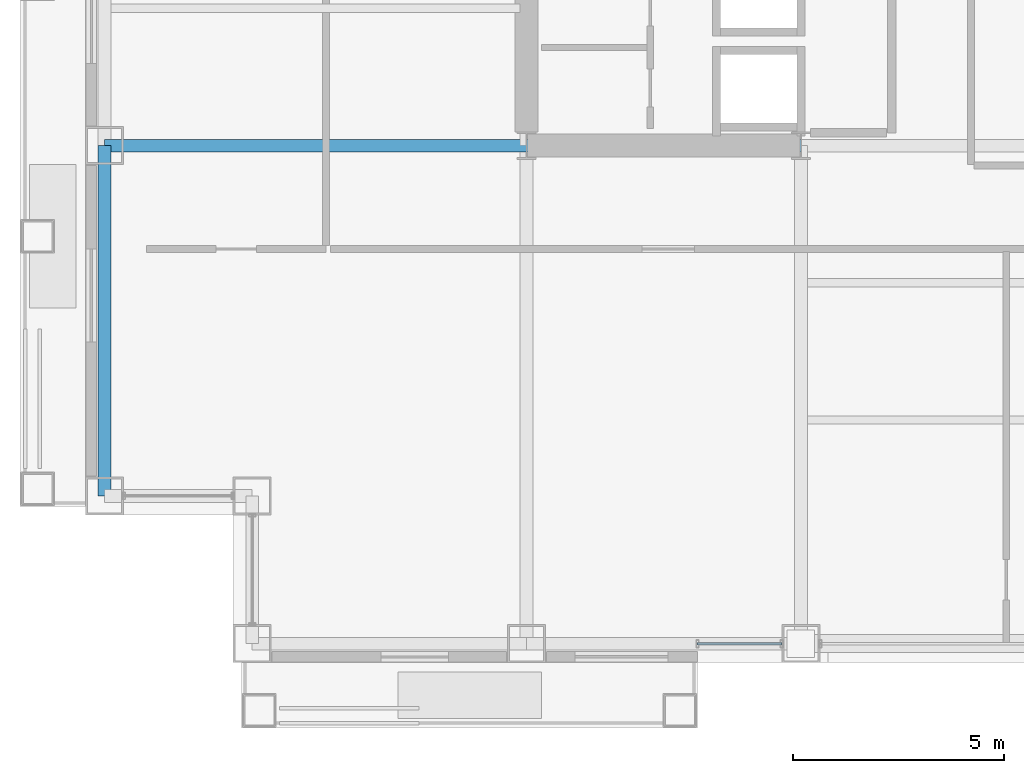
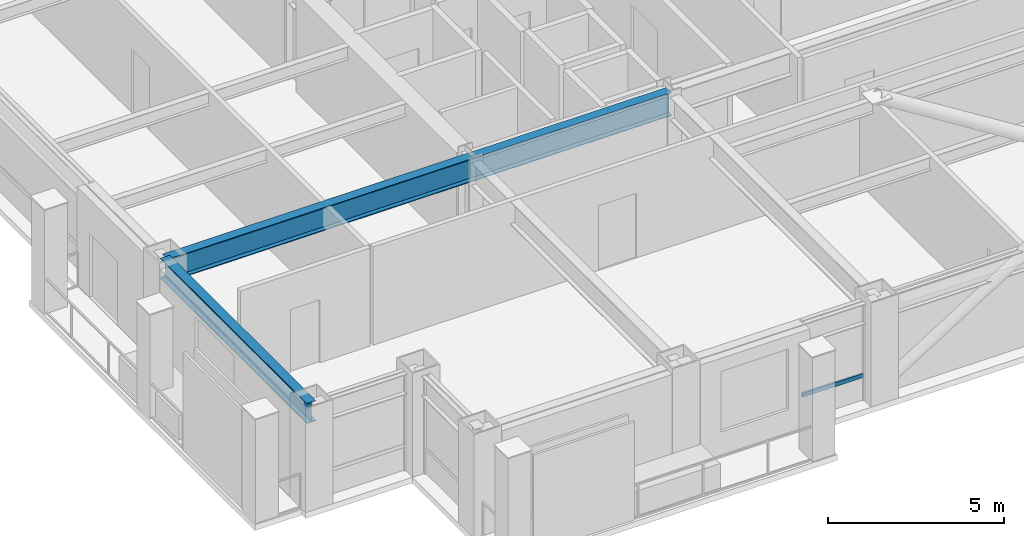
# One storey, part 4 of 29: 3 beams, 1 member, 1 element without a shape of its own.
"""IFC4 building model written with IfcOpenShell, lengths in metres."""

from ifc_helpers import new_model, si_unit, direction, frame, origin, origin_2d, place, context, subcontext, project, spatial, hollow_rectangle, i_section, extrude, material, layer, layer_set, material_profile, profile_set, type_object, element, aggregate, save


model = new_model("IFC4")

# Units and contexts
model_context = context("Model", 3, precision=1e-05, world=origin(), true_north=direction((0.0, 1.0)))
body_context = subcontext(model_context, "Body", "Model", "MODEL_VIEW")
ifc_project = project(units=[si_unit("LENGTHUNIT", "METRE"), si_unit("AREAUNIT", "SQUARE_METRE"), si_unit("VOLUMEUNIT", "CUBIC_METRE"), si_unit("PLANEANGLEUNIT", "RADIAN"), si_unit("MASSUNIT", "GRAM", prefix="KILO")], contexts=[model_context])

# Site, building, storey
site_placement = place(None, origin())
site = spatial("IfcSite", under=ifc_project, at=site_placement, CompositionType="ELEMENT")
building_placement = place(site_placement, origin())
building = spatial("IfcBuilding", under=site, at=building_placement, Name="Brelmoor Portico Tower", CompositionType="ELEMENT")
storey_placement = place(building_placement, frame((0.0, 0.0, 67.199951171875)))
storey = spatial("IfcBuildingStorey", under=building, at=storey_placement, Name="L17", CompositionType="ELEMENT", Elevation=67.199951171875)

# Beams
ifc_material_1 = material(Name="Steel Q355B", Category="steel")
ifc_material_profile_1 = material_profile(ifc_material_1, i_section(OverallWidth=0.300048828125, OverallDepth=0.800048828125, WebThickness=0.013916015625, FlangeThickness=0.02587890625, at=origin_2d()), Name="HN 800x300x14x26")
ifc_profile_set_1 = profile_set([ifc_material_profile_1], Name="Steel Q355B")
beam_type_1 = type_object("IfcBeamType", Name="BM-PG-800", PredefinedType="BEAM", material=ifc_profile_set_1)
beam_1_placement = place(storey_placement, frame((-24.550048828125, -9.75, 3.0), z_axis=(1.0, 0.0, 0.0), x_axis=(0.0, 1.0, 0.0)))
element("IfcBeam", 1, at=beam_1_placement, inside=storey, type_object=beam_type_1, Name="L17 Primary Floor Girder PG-19", PredefinedType="BEAM", context=body_context, shape_type="SweptSolid", body=[
    extrude(i_section(OverallWidth=0.300048828125, OverallDepth=0.800048828125, WebThickness=0.013916015625, FlangeThickness=0.02587890625, at=origin_2d()), origin(), (0.0, 0.0, 1.0), 10.0),
])
beam_2_placement = place(storey_placement, frame((-14.550048828125, -9.75, 3.0), z_axis=(1.0, 0.0, 0.0), x_axis=(0.0, 1.0, 0.0)))
element("IfcBeam", 2, at=beam_2_placement, inside=storey, type_object=beam_type_1, Name="L17 Primary Floor Girder PG-20", PredefinedType="BEAM", context=body_context, shape_type="SweptSolid", body=[
    extrude(i_section(OverallWidth=0.300048828125, OverallDepth=0.800048828125, WebThickness=0.013916015625, FlangeThickness=0.02587890625, at=origin_2d()), origin(), (0.0, 0.0, 1.0), 6.5),
])
ifc_material_profile_2 = material_profile(ifc_material_1, i_section(OverallWidth=0.300048828125, OverallDepth=0.699951171875, WebThickness=0.012939453125, FlangeThickness=0.02392578125, at=origin_2d()), Name="HN 700x300x13x24")
ifc_profile_set_2 = profile_set([ifc_material_profile_2], Name="Steel Q355B")
beam_type_2 = type_object("IfcBeamType", Name="BM-SP-700", PredefinedType="SPANDREL", material=ifc_profile_set_2)
beam_3_placement = place(storey_placement, frame((-24.550048828125, -18.050048828125, 3.050048828125), z_axis=(0.0, 1.0, 0.0), x_axis=(-1.0, 0.0, 0.0)))
element("IfcBeam", 3, at=beam_3_placement, inside=storey, type_object=beam_type_2, Name="L17 Perimeter Spandrel Beam SP-15", PredefinedType="SPANDREL", context=body_context, shape_type="SweptSolid", body=[
    extrude(i_section(OverallWidth=0.300048828125, OverallDepth=0.699951171875, WebThickness=0.012939453125, FlangeThickness=0.02392578125, at=origin_2d()), origin(), (0.0, 0.0, 1.0), 8.300048828125),
])

# Curtain wall, member
ifc_material_2 = material(Name="Anodised Aluminium Alloy 6063-T6", Category="aluminium")
ifc_layer = layer(ifc_material_2, 0.179931640625)
ifc_layer_set = layer_set([ifc_layer], Name="Anodised Aluminium Alloy 6063-T6")
curtain_wall_type = type_object("IfcCurtainWallType", Name="CW-TOWER-Z1", PredefinedType="NOTDEFINED", material=ifc_layer_set)
curtain_wall_placement = place(storey_placement, origin())
curtain_wall = element("IfcCurtainWall", 4, at=curtain_wall_placement, inside=storey, type_object=curtain_wall_type, Name="L17 Curtain Wall CW-L17-1R-1", PredefinedType="NOTDEFINED")
ifc_material_profile_3 = material_profile(ifc_material_2, hollow_rectangle(XDim=0.06494140625, YDim=0.139892578125, WallThickness=0.00390625, at=origin_2d()), Name="ALU TRANSOM 65x140")
ifc_profile_set_3 = profile_set([ifc_material_profile_3], Name="Anodised Aluminium Alloy 6063-T6")
member_type = type_object("IfcMemberType", Name="MB-CW-TRAN-140", PredefinedType="USERDEFINED", material=ifc_profile_set_3)
member_placement = place(storey_placement, frame((-10.5, -21.550048828125, 0.85009765625), z_axis=(1.0, 0.0, 0.0), x_axis=(0.0, 1.0, 0.0)))
member = element("IfcMember", 5, at=member_placement, type_object=member_type, Name="CW-L17-1R-1 Transom 1-00", ObjectType="TRANSOM", PredefinedType="USERDEFINED", context=body_context, shape_type="SweptSolid", body=[
    extrude(hollow_rectangle(XDim=0.06494140625, YDim=0.139892578125, WallThickness=0.00390625, at=origin_2d()), origin(), (0.0, 0.0, 1.0), 1.989990234375),
])
aggregate(curtain_wall, [member])

save(model, "model.ifc")
